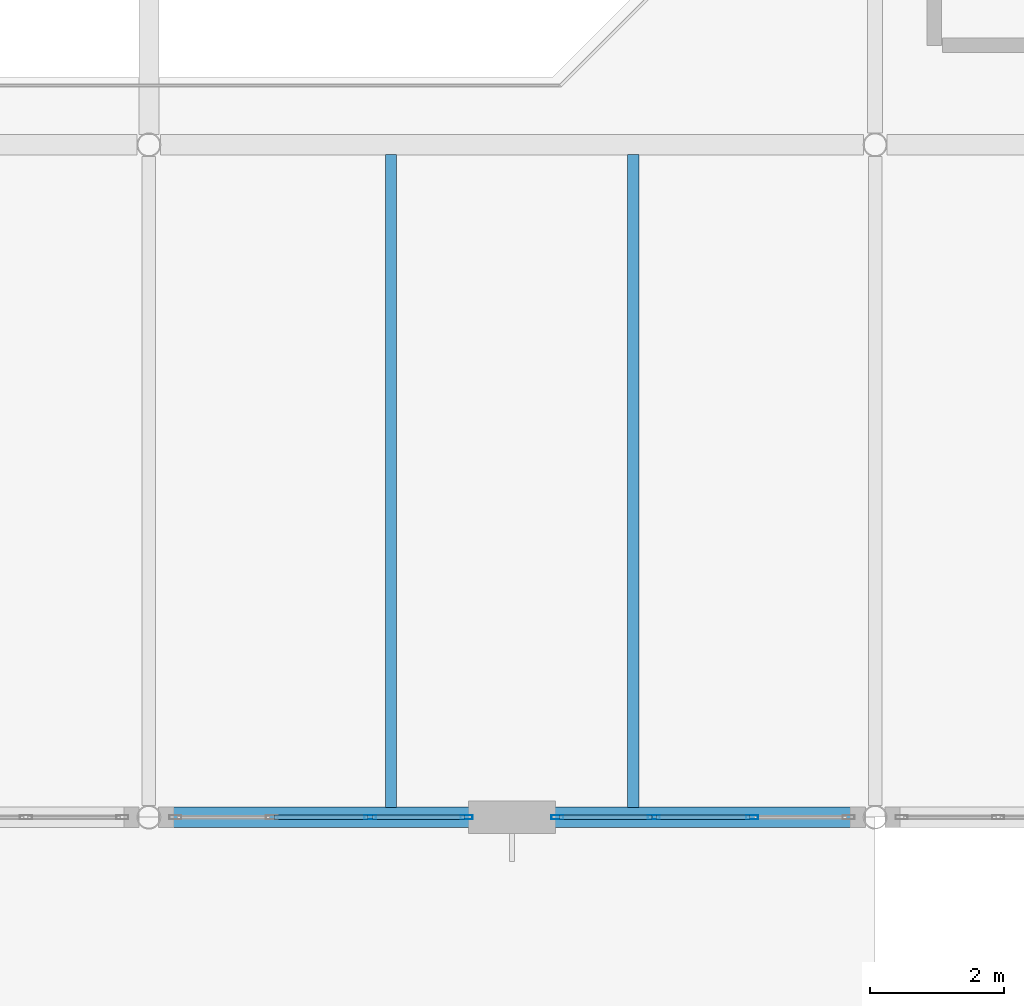
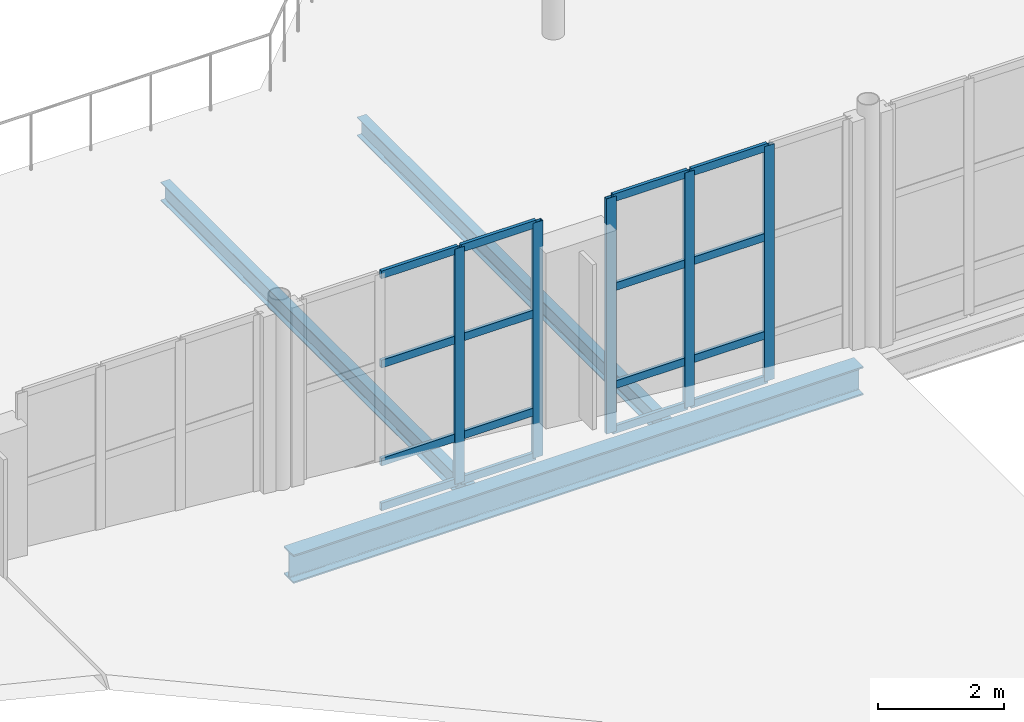
# One storey, part 34 of 92: 21 members, 3 beams, 2 elements without a shape of their own.
"""IFC4 building model written with IfcOpenShell, lengths in metres."""

from ifc_helpers import new_model, si_unit, direction, frame, origin, origin_2d, place, context, subcontext, project, spatial, hollow_rectangle, i_section, extrude, material, layer, layer_set, material_profile, profile_set, type_object, element, aggregate, save


model = new_model("IFC4")

# Units and contexts
model_context = context("Model", 3, precision=1e-05, world=origin(), true_north=direction((0.0, 1.0)))
body_context = subcontext(model_context, "Body", "Model", "MODEL_VIEW")
ifc_project = project(units=[si_unit("LENGTHUNIT", "METRE"), si_unit("AREAUNIT", "SQUARE_METRE"), si_unit("VOLUMEUNIT", "CUBIC_METRE"), si_unit("PLANEANGLEUNIT", "RADIAN"), si_unit("MASSUNIT", "GRAM", prefix="KILO")], contexts=[model_context])

# Site, building, storey
site_placement = place(None, origin())
site = spatial("IfcSite", under=ifc_project, at=site_placement, CompositionType="ELEMENT")
building_placement = place(site_placement, origin())
building = spatial("IfcBuilding", under=site, at=building_placement, Name="Tasgan Crest Museum", CompositionType="ELEMENT")
storey_placement = place(building_placement, frame((0.0, 0.0, 4.800048828125)))
storey = spatial("IfcBuildingStorey", under=building, at=storey_placement, Name="L01", CompositionType="ELEMENT", Elevation=4.800048828125)

# Beams
ifc_material_1 = material(Name="Steel S355K2", Category="steel")
ifc_material_profile_1 = material_profile(ifc_material_1, i_section(OverallWidth=0.300048828125, OverallDepth=0.550048828125, WebThickness=0.014892578125, FlangeThickness=0.029052734375, FilletRadius=0.027099609375, at=origin_2d()), Name="HEB 550")
ifc_profile_set_1 = profile_set([ifc_material_profile_1], Name="Steel S355K2")
beam_type_1 = type_object("IfcBeamType", Name="BM-G-HEB550", PredefinedType="BEAM", material=ifc_profile_set_1)
beam_placement = place(storey_placement, frame((86.57373046875, 40.0, -0.51513671875), z_axis=(1.0, 0.0, 0.0), x_axis=(0.0, 1.0, 0.0)))
element("IfcBeam", 1, at=beam_placement, inside=storey, type_object=beam_type_1, Name="Girder L01 E 86.4-97.2", PredefinedType="BEAM", context=body_context, shape_type="SweptSolid", body=[
    extrude(i_section(OverallWidth=0.300048828125, OverallDepth=0.550048828125, WebThickness=0.014892578125, FlangeThickness=0.029052734375, FilletRadius=0.027099609375, at=origin_2d()), origin(), (0.0, 0.0, 1.0), 10.452392578125),
])
ifc_material_2 = material(Name="Steel S355J2", Category="steel")
ifc_material_profile_2 = material_profile(ifc_material_2, i_section(OverallWidth=0.169921875, OverallDepth=0.360107421875, WebThickness=0.008056640625, FlangeThickness=0.0126953125, FilletRadius=0.01806640625, at=origin_2d()), Name="IPE 360")
ifc_profile_set_2 = profile_set([ifc_material_profile_2], Name="Steel S355J2")
beam_type_2 = type_object("IfcBeamType", Name="BM-J-IPE360", PredefinedType="JOIST", material=ifc_profile_set_2)
for number, where, z_axis, x_axis, name in (
    (2, (90.0, 40.14501953125, -0.420166015625), (0.0, 1.0, 0.0), (-1.0, 0.0, 0.0), "Secondary joist L01 X=90.0 Y=40.0-50.0"),
    (3, (93.60009765625, 40.14501953125, -0.420166015625), (0.0, 1.0, 0.0), (-1.0, 0.0, 0.0), "Secondary joist L01 X=93.6 Y=40.0-50.0"),
):
    element("IfcBeam", number, at=place(storey_placement, frame(where, z_axis=z_axis, x_axis=x_axis)), inside=storey, type_object=beam_type_2, Name=name, PredefinedType="JOIST", context=body_context, shape_type="SweptSolid", body=[
        extrude(i_section(OverallWidth=0.169921875, OverallDepth=0.360107421875, WebThickness=0.008056640625, FlangeThickness=0.0126953125, FilletRadius=0.01806640625, at=origin_2d()), origin(), (0.0, 0.0, 1.0), 9.7099609375),
    ])

# Curtain wall, members
ifc_material_3 = material(Name="Triple-Glazed Aluminium Curtain Wall", Category="aluminium")
ifc_layer = layer(ifc_material_3, 0.179931640625, Name="CW-DRUM-X-48")
ifc_layer_set = layer_set([ifc_layer], Name="Triple-Glazed Aluminium Curtain Wall")
curtain_wall_type = type_object("IfcCurtainWallType", Name="CW-DRUM-X-48", PredefinedType="NOTDEFINED", material=ifc_layer_set)
curtain_wall_1_placement = place(storey_placement, origin())
curtain_wall_1 = element("IfcCurtainWall", 4, at=curtain_wall_1_placement, inside=storey, type_object=curtain_wall_type, Name="Curtain wall L01 033", PredefinedType="NOTDEFINED")
ifc_material_4 = material(Name="Anodised Aluminium", Category="aluminium")
ifc_material_profile_3 = material_profile(ifc_material_4, hollow_rectangle(XDim=0.06494140625, YDim=0.179931640625, WallThickness=0.0048828125, at=origin_2d()), Name="ALU MULLION 180x65x5")
ifc_profile_set_3 = profile_set([ifc_material_profile_3], Name="Anodised Aluminium")
member_type_1 = type_object("IfcMemberType", Name="CW-MULLION-180", PredefinedType="MULLION", material=ifc_profile_set_3)
member_1_placement = place(storey_placement, frame((89.691650390625, 40.0, 0.0), z_axis=(0.0, 0.0, 1.0), x_axis=(0.0, 1.0, 0.0)))
member_1 = element("IfcMember", 5, at=member_1_placement, type_object=member_type_1, Name="CW03 mullion 3", PredefinedType="MULLION", context=body_context, shape_type="SweptSolid", body=[
    extrude(hollow_rectangle(XDim=0.06494140625, YDim=0.179931640625, WallThickness=0.0048828125, at=origin_2d()), origin(), (0.0, 0.0, 1.0), 4.56005859375),
])
member_2_placement = place(storey_placement, frame((91.125, 40.0, 0.0), z_axis=(0.0, 0.0, 1.0), x_axis=(0.0, 1.0, 0.0)))
member_2 = element("IfcMember", 6, at=member_2_placement, type_object=member_type_1, Name="CW03 mullion 4", PredefinedType="MULLION", context=body_context, shape_type="SweptSolid", body=[
    extrude(hollow_rectangle(XDim=0.06494140625, YDim=0.179931640625, WallThickness=0.0048828125, at=origin_2d()), origin(), (0.0, 0.0, 1.0), 4.56005859375),
])

curtain_wall_2_placement = place(storey_placement, origin())
curtain_wall_2 = element("IfcCurtainWall", 7, at=curtain_wall_2_placement, inside=storey, type_object=curtain_wall_type, Name="Curtain wall L01 034", PredefinedType="NOTDEFINED")
member_3_placement = place(storey_placement, frame((92.47509765625, 40.0, 0.0), z_axis=(0.0, 0.0, 1.0), x_axis=(0.0, 1.0, 0.0)))
member_3 = element("IfcMember", 8, at=member_3_placement, type_object=member_type_1, Name="CW03 mullion 1", PredefinedType="MULLION", context=body_context, shape_type="SweptSolid", body=[
    extrude(hollow_rectangle(XDim=0.06494140625, YDim=0.179931640625, WallThickness=0.0048828125, at=origin_2d()), origin(), (0.0, 0.0, 1.0), 4.56005859375),
])
member_4_placement = place(storey_placement, frame((93.908447265625, 40.0, 0.0), z_axis=(0.0, 0.0, 1.0), x_axis=(0.0, 1.0, 0.0)))
member_4 = element("IfcMember", 9, at=member_4_placement, type_object=member_type_1, Name="CW03 mullion 2", PredefinedType="MULLION", context=body_context, shape_type="SweptSolid", body=[
    extrude(hollow_rectangle(XDim=0.06494140625, YDim=0.179931640625, WallThickness=0.0048828125, at=origin_2d()), origin(), (0.0, 0.0, 1.0), 4.56005859375),
])
member_5_placement = place(storey_placement, frame((95.37158203125, 40.0, 0.0), z_axis=(0.0, 0.0, 1.0), x_axis=(0.0, 1.0, 0.0)))
member_5 = element("IfcMember", 10, at=member_5_placement, type_object=member_type_1, Name="CW03 mullion 3", PredefinedType="MULLION", context=body_context, shape_type="SweptSolid", body=[
    extrude(hollow_rectangle(XDim=0.06494140625, YDim=0.179931640625, WallThickness=0.0048828125, at=origin_2d()), origin(), (0.0, 0.0, 1.0), 4.56005859375),
])

# Member
ifc_material_5 = material(Name="Anodised Aluminium", Category="aluminium")
ifc_material_profile_4 = material_profile(ifc_material_5, hollow_rectangle(XDim=0.06005859375, YDim=0.14990234375, WallThickness=0.0048828125, at=origin_2d()), Name="ALU TRANSOM 150x60x5")
ifc_profile_set_4 = profile_set([ifc_material_profile_4], Name="Anodised Aluminium")
member_type_2 = type_object("IfcMemberType", Name="CW-TRANSOM-150", PredefinedType="USERDEFINED", material=ifc_profile_set_4)
member_6_placement = place(storey_placement, frame((88.25830078125, 40.0, 0.030029296875), z_axis=(1.0, 0.0, 0.0), x_axis=(0.0, 1.0, 0.0)))
member_6 = element("IfcMember", 11, at=member_6_placement, type_object=member_type_2, Name="CW03 transom 2.1", ObjectType="TRANSOM", PredefinedType="USERDEFINED", context=body_context, shape_type="SweptSolid", body=[
    extrude(hollow_rectangle(XDim=0.06005859375, YDim=0.14990234375, WallThickness=0.0048828125, at=origin_2d()), origin(), (0.0, 0.0, 1.0), 1.4033203125),
])

member_7_placement = place(storey_placement, frame((88.25830078125, 40.0, 0.89990234375), z_axis=(1.0, 0.0, 0.0), x_axis=(0.0, 1.0, 0.0)))
member_7 = element("IfcMember", 12, at=member_7_placement, type_object=member_type_2, Name="CW03 transom 2.2", ObjectType="TRANSOM", PredefinedType="USERDEFINED", context=body_context, shape_type="SweptSolid", body=[
    extrude(hollow_rectangle(XDim=0.06005859375, YDim=0.14990234375, WallThickness=0.0048828125, at=origin_2d()), origin(), (0.0, 0.0, 1.0), 1.4033203125),
])

member_8_placement = place(storey_placement, frame((88.25830078125, 40.0, 2.800048828125), z_axis=(1.0, 0.0, 0.0), x_axis=(0.0, 1.0, 0.0)))
member_8 = element("IfcMember", 13, at=member_8_placement, type_object=member_type_2, Name="CW03 transom 2.3", ObjectType="TRANSOM", PredefinedType="USERDEFINED", context=body_context, shape_type="SweptSolid", body=[
    extrude(hollow_rectangle(XDim=0.06005859375, YDim=0.14990234375, WallThickness=0.0048828125, at=origin_2d()), origin(), (0.0, 0.0, 1.0), 1.4033203125),
])

member_9_placement = place(storey_placement, frame((88.25830078125, 40.0, 4.530029296875), z_axis=(1.0, 0.0, 0.0), x_axis=(0.0, 1.0, 0.0)))
member_9 = element("IfcMember", 14, at=member_9_placement, type_object=member_type_2, Name="CW03 transom 2.4", ObjectType="TRANSOM", PredefinedType="USERDEFINED", context=body_context, shape_type="SweptSolid", body=[
    extrude(hollow_rectangle(XDim=0.06005859375, YDim=0.14990234375, WallThickness=0.0048828125, at=origin_2d()), origin(), (0.0, 0.0, 1.0), 1.4033203125),
])

member_10_placement = place(storey_placement, frame((89.7216796875, 40.0, 0.030029296875), z_axis=(1.0, 0.0, 0.0), x_axis=(0.0, 1.0, 0.0)))
member_10 = element("IfcMember", 15, at=member_10_placement, type_object=member_type_2, Name="CW03 transom 3.1", ObjectType="TRANSOM", PredefinedType="USERDEFINED", context=body_context, shape_type="SweptSolid", body=[
    extrude(hollow_rectangle(XDim=0.06005859375, YDim=0.14990234375, WallThickness=0.0048828125, at=origin_2d()), origin(), (0.0, 0.0, 1.0), 1.373291015625),
])

member_11_placement = place(storey_placement, frame((89.7216796875, 40.0, 0.89990234375), z_axis=(1.0, 0.0, 0.0), x_axis=(0.0, 1.0, 0.0)))
member_11 = element("IfcMember", 16, at=member_11_placement, type_object=member_type_2, Name="CW03 transom 3.2", ObjectType="TRANSOM", PredefinedType="USERDEFINED", context=body_context, shape_type="SweptSolid", body=[
    extrude(hollow_rectangle(XDim=0.06005859375, YDim=0.14990234375, WallThickness=0.0048828125, at=origin_2d()), origin(), (0.0, 0.0, 1.0), 1.373291015625),
])

member_12_placement = place(storey_placement, frame((89.7216796875, 40.0, 2.800048828125), z_axis=(1.0, 0.0, 0.0), x_axis=(0.0, 1.0, 0.0)))
member_12 = element("IfcMember", 17, at=member_12_placement, type_object=member_type_2, Name="CW03 transom 3.3", ObjectType="TRANSOM", PredefinedType="USERDEFINED", context=body_context, shape_type="SweptSolid", body=[
    extrude(hollow_rectangle(XDim=0.06005859375, YDim=0.14990234375, WallThickness=0.0048828125, at=origin_2d()), origin(), (0.0, 0.0, 1.0), 1.373291015625),
])

member_13_placement = place(storey_placement, frame((89.7216796875, 40.0, 4.530029296875), z_axis=(1.0, 0.0, 0.0), x_axis=(0.0, 1.0, 0.0)))
member_13 = element("IfcMember", 18, at=member_13_placement, type_object=member_type_2, Name="CW03 transom 3.4", ObjectType="TRANSOM", PredefinedType="USERDEFINED", context=body_context, shape_type="SweptSolid", body=[
    extrude(hollow_rectangle(XDim=0.06005859375, YDim=0.14990234375, WallThickness=0.0048828125, at=origin_2d()), origin(), (0.0, 0.0, 1.0), 1.373291015625),
])

aggregate(curtain_wall_1, [member_1, member_2, member_6, member_7, member_8, member_9, member_10, member_11, member_12, member_13])

member_14_placement = place(storey_placement, frame((92.5048828125, 40.0, 0.030029296875), z_axis=(1.0, 0.0, 0.0), x_axis=(0.0, 1.0, 0.0)))
member_14 = element("IfcMember", 19, at=member_14_placement, type_object=member_type_2, Name="CW03 transom 1.1", ObjectType="TRANSOM", PredefinedType="USERDEFINED", context=body_context, shape_type="SweptSolid", body=[
    extrude(hollow_rectangle(XDim=0.06005859375, YDim=0.14990234375, WallThickness=0.0048828125, at=origin_2d()), origin(), (0.0, 0.0, 1.0), 1.37353515625),
])

member_15_placement = place(storey_placement, frame((92.5048828125, 40.0, 0.89990234375), z_axis=(1.0, 0.0, 0.0), x_axis=(0.0, 1.0, 0.0)))
member_15 = element("IfcMember", 20, at=member_15_placement, type_object=member_type_2, Name="CW03 transom 1.2", ObjectType="TRANSOM", PredefinedType="USERDEFINED", context=body_context, shape_type="SweptSolid", body=[
    extrude(hollow_rectangle(XDim=0.06005859375, YDim=0.14990234375, WallThickness=0.0048828125, at=origin_2d()), origin(), (0.0, 0.0, 1.0), 1.37353515625),
])

member_16_placement = place(storey_placement, frame((92.5048828125, 40.0, 2.800048828125), z_axis=(1.0, 0.0, 0.0), x_axis=(0.0, 1.0, 0.0)))
member_16 = element("IfcMember", 21, at=member_16_placement, type_object=member_type_2, Name="CW03 transom 1.3", ObjectType="TRANSOM", PredefinedType="USERDEFINED", context=body_context, shape_type="SweptSolid", body=[
    extrude(hollow_rectangle(XDim=0.06005859375, YDim=0.14990234375, WallThickness=0.0048828125, at=origin_2d()), origin(), (0.0, 0.0, 1.0), 1.37353515625),
])

member_17_placement = place(storey_placement, frame((92.5048828125, 40.0, 4.530029296875), z_axis=(1.0, 0.0, 0.0), x_axis=(0.0, 1.0, 0.0)))
member_17 = element("IfcMember", 22, at=member_17_placement, type_object=member_type_2, Name="CW03 transom 1.4", ObjectType="TRANSOM", PredefinedType="USERDEFINED", context=body_context, shape_type="SweptSolid", body=[
    extrude(hollow_rectangle(XDim=0.06005859375, YDim=0.14990234375, WallThickness=0.0048828125, at=origin_2d()), origin(), (0.0, 0.0, 1.0), 1.37353515625),
])

member_18_placement = place(storey_placement, frame((93.938232421875, 40.0, 0.030029296875), z_axis=(1.0, 0.0, 0.0), x_axis=(0.0, 1.0, 0.0)))
member_18 = element("IfcMember", 23, at=member_18_placement, type_object=member_type_2, Name="CW03 transom 2.1", ObjectType="TRANSOM", PredefinedType="USERDEFINED", context=body_context, shape_type="SweptSolid", body=[
    extrude(hollow_rectangle(XDim=0.06005859375, YDim=0.14990234375, WallThickness=0.0048828125, at=origin_2d()), origin(), (0.0, 0.0, 1.0), 1.4033203125),
])

member_19_placement = place(storey_placement, frame((93.938232421875, 40.0, 0.89990234375), z_axis=(1.0, 0.0, 0.0), x_axis=(0.0, 1.0, 0.0)))
member_19 = element("IfcMember", 24, at=member_19_placement, type_object=member_type_2, Name="CW03 transom 2.2", ObjectType="TRANSOM", PredefinedType="USERDEFINED", context=body_context, shape_type="SweptSolid", body=[
    extrude(hollow_rectangle(XDim=0.06005859375, YDim=0.14990234375, WallThickness=0.0048828125, at=origin_2d()), origin(), (0.0, 0.0, 1.0), 1.4033203125),
])

member_20_placement = place(storey_placement, frame((93.938232421875, 40.0, 2.800048828125), z_axis=(1.0, 0.0, 0.0), x_axis=(0.0, 1.0, 0.0)))
member_20 = element("IfcMember", 25, at=member_20_placement, type_object=member_type_2, Name="CW03 transom 2.3", ObjectType="TRANSOM", PredefinedType="USERDEFINED", context=body_context, shape_type="SweptSolid", body=[
    extrude(hollow_rectangle(XDim=0.06005859375, YDim=0.14990234375, WallThickness=0.0048828125, at=origin_2d()), origin(), (0.0, 0.0, 1.0), 1.4033203125),
])

member_21_placement = place(storey_placement, frame((93.938232421875, 40.0, 4.530029296875), z_axis=(1.0, 0.0, 0.0), x_axis=(0.0, 1.0, 0.0)))
member_21 = element("IfcMember", 26, at=member_21_placement, type_object=member_type_2, Name="CW03 transom 2.4", ObjectType="TRANSOM", PredefinedType="USERDEFINED", context=body_context, shape_type="SweptSolid", body=[
    extrude(hollow_rectangle(XDim=0.06005859375, YDim=0.14990234375, WallThickness=0.0048828125, at=origin_2d()), origin(), (0.0, 0.0, 1.0), 1.4033203125),
])

aggregate(curtain_wall_2, [member_3, member_4, member_5, member_14, member_15, member_16, member_17, member_18, member_19, member_20, member_21])

save(model, "model.ifc")
